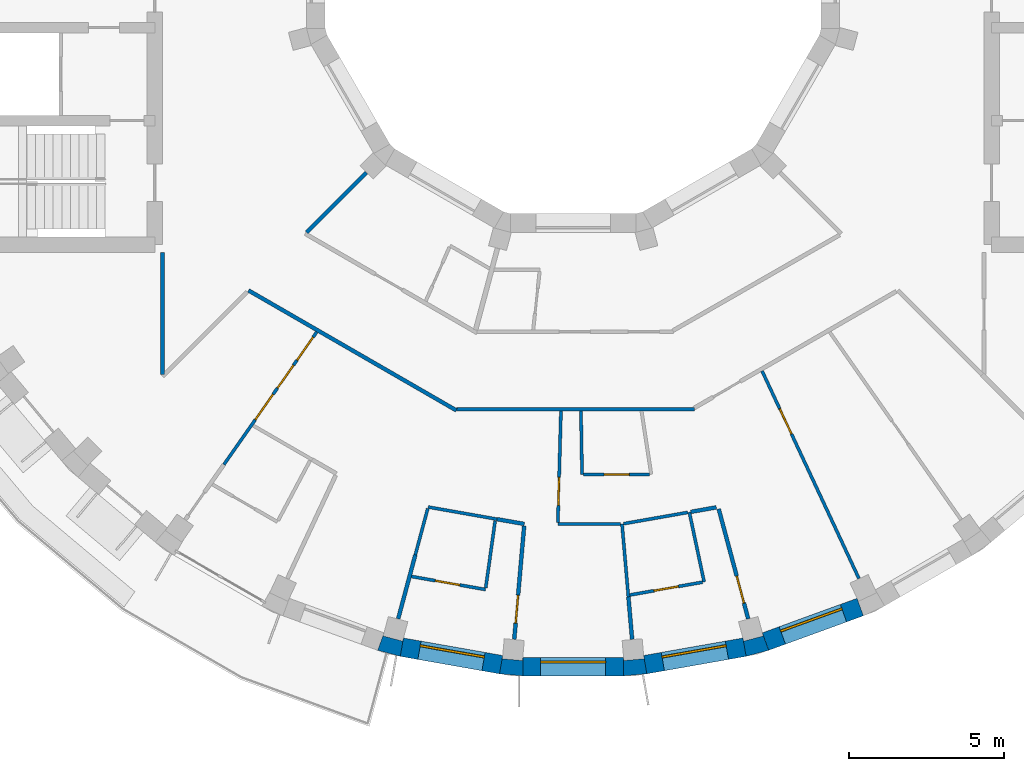
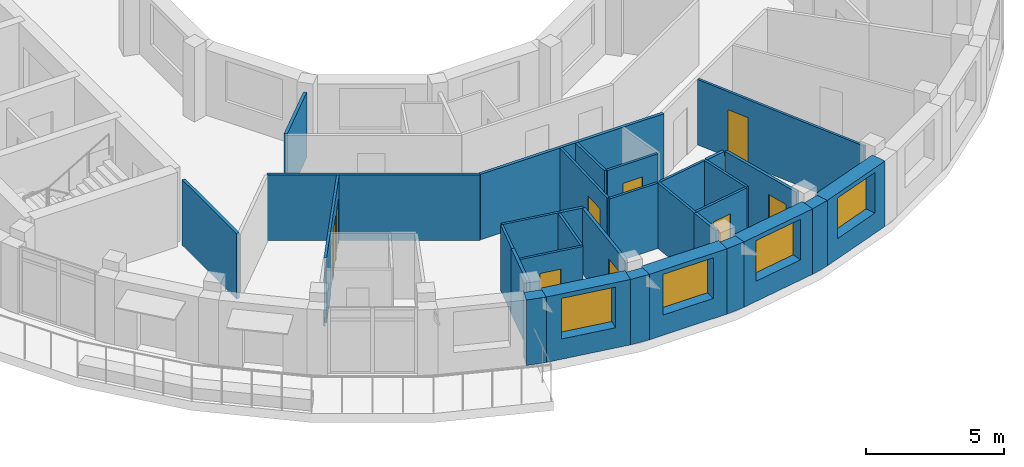
# One storey, part 4 of 12: 32 walls, 10 doors, 4 windows, 14 openings.
"""IFC4 building model written with IfcOpenShell, lengths in metres."""

from ifc_helpers import new_model, si_unit, direction, frame, frame_2d, origin, place, context, subcontext, project, spatial, polyline, rectangle, outline, extrude, material, layer, layer_set, type_object, element, fill, save


model = new_model("IFC4")

# Units and contexts
model_context = context("Model", 3, precision=1e-05, world=origin(), true_north=direction((0.0, 1.0)))
body_context = subcontext(model_context, "Body", "Model", "MODEL_VIEW")
ifc_project = project(units=[si_unit("LENGTHUNIT", "METRE"), si_unit("AREAUNIT", "SQUARE_METRE"), si_unit("VOLUMEUNIT", "CUBIC_METRE"), si_unit("PLANEANGLEUNIT", "RADIAN"), si_unit("MASSUNIT", "GRAM", prefix="KILO")], contexts=[model_context])

# Site, building, storey
site_placement = place(None, origin())
site = spatial("IfcSite", under=ifc_project, at=site_placement, CompositionType="ELEMENT")
building_placement = place(site_placement, origin())
building = spatial("IfcBuilding", under=site, at=building_placement, Name="Saqina Gate Tower", CompositionType="ELEMENT")
storey_placement = place(building_placement, frame((0.0, 0.0, 266.0)))
storey = spatial("IfcBuildingStorey", under=building, at=storey_placement, Name="L76", CompositionType="ELEMENT", Elevation=266.0)

# Walls
ifc_material_1 = material(Name="Brick masonry (buff)", Category="masonry")
wall_type_1 = type_object("IfcWallType", Name="BRICK PIER COPING BUFF", PredefinedType="SOLIDWALL", material=ifc_material_1)
wall_1_placement = place(storey_placement, origin())
element("IfcWall", 1, at=wall_1_placement, inside=storey, type_object=wall_type_1, Name="Pier cap L76 column 26", PredefinedType="SOLIDWALL", context=body_context, shape_type="SweptSolid", body=[
    extrude(outline(polyline([(-5.579833984375, -22.281982421875), (-5.4755859375, -21.691162109375), (-5.5029296875, -21.793212890625), (-6.130859375, -21.625), (-6.103515625, -21.52294921875), (-6.30859375, -22.0869140625), (-5.579833984375, -22.281982421875)])), origin(), (0.0, 0.0, 1.0), 2.89990234375),
])
wall_2_placement = place(storey_placement, origin())
element("IfcWall", 2, at=wall_2_placement, inside=storey, type_object=wall_type_1, Name="Pier cap L76 column 27", PredefinedType="SOLIDWALL", context=body_context, shape_type="SweptSolid", body=[
    extrude(outline(polyline([(-2.377685546875, -22.8466796875), (-1.625732421875, -22.91259765625), (-1.625732421875, -22.3125), (-1.635009765625, -22.417724609375), (-2.28271484375, -22.361083984375), (-2.2734375, -22.255859375), (-2.377685546875, -22.8466796875)])), origin(), (0.0, 0.0, 1.0), 2.89990234375),
])
wall_3_placement = place(storey_placement, origin())
element("IfcWall", 3, at=wall_3_placement, inside=storey, type_object=wall_type_1, Name="Pier cap L76 column 28", PredefinedType="SOLIDWALL", context=body_context, shape_type="SweptSolid", body=[
    extrude(outline(polyline([(1.625732421875, -22.91259765625), (2.377685546875, -22.8466796875), (2.2734375, -22.255859375), (2.28271484375, -22.361083984375), (1.635009765625, -22.417724609375), (1.625732421875, -22.3125), (1.625732421875, -22.91259765625)])), origin(), (0.0, 0.0, 1.0), 2.89990234375),
])
wall_4_placement = place(storey_placement, origin())
element("IfcWall", 4, at=wall_4_placement, inside=storey, type_object=wall_type_1, Name="Pier cap L76 column 29", PredefinedType="SOLIDWALL", context=body_context, shape_type="SweptSolid", body=[
    extrude(outline(polyline([(6.30859375, -22.0869140625), (6.103515625, -21.52294921875), (6.130859375, -21.625), (5.5029296875, -21.793212890625), (5.4755859375, -21.691162109375), (5.579833984375, -22.281982421875), (6.30859375, -22.0869140625)])), origin(), (0.0, 0.0, 1.0), 2.89990234375),
])

# Wall, opening, window
ifc_material_2 = material(Name="Brick masonry (buff)", Category="masonry")
ifc_layer_1 = layer(ifc_material_2, 0.60009765625)
ifc_layer_set_1 = layer_set([ifc_layer_1], Name="FW-BRICK-BUFF")
wall_type_2 = type_object("IfcWallType", Name="FW-BRICK-BUFF", PredefinedType="SOLIDWALL", material=ifc_layer_set_1)
wall_5_placement = place(storey_placement, frame((-5.52783203125, -21.986572265625, 0.0), z_axis=(0.0, 0.0, 1.0), x_axis=(0.984806225186, -0.173656842178, 0.0)))
wall_5 = element("IfcWall", 5, at=wall_5_placement, inside=storey, type_object=wall_type_2, Name="Facade wall L76 facet 26", PredefinedType="SOLIDWALL", context=body_context, shape_type="SweptSolid", body=[
    extrude(rectangle(XDim=3.251708984375, YDim=0.60009765625, at=frame_2d((1.6259765625, 0.0))), origin(), (0.0, 0.0, 1.0), 2.89990234375),
])
opening_1_placement = place(wall_5_placement, frame((0.57568359375, 0.0, 0.89990234375)))
opening_1 = element("IfcOpeningElement", 6, at=opening_1_placement, cuts=wall_5, Name="Opening G22-W15", PredefinedType="OPENING", context=body_context, shape_type="SweptSolid", body=[
    extrude(rectangle(XDim=2.10009765625, YDim=1.800048828125, at=frame_2d((1.050048828125, 0.89990234375))), frame((0.0, 0.31201171875, 0.0), z_axis=(0.0, -1.0, 0.0), x_axis=(1.0, 0.0, 0.0)), (0.0, 0.0, 1.0), 0.6240234375),
])
ifc_material_3 = material(Name="Aluminium glazing", Category="aluminium")
window_type = type_object("IfcWindowType", Name="WN-D", PartitioningType="SINGLE_PANEL", PredefinedType="WINDOW", material=ifc_material_3)
window_1_placement = place(opening_1_placement, origin())
window_1 = element("IfcWindow", 7, at=window_1_placement, inside=storey, type_object=window_type, Name="Window L76 facet 26", OverallHeight=1.800048828125, OverallWidth=2.10009765625, PartitioningType="SINGLE_PANEL", PredefinedType="WINDOW", context=body_context, shape_type="SweptSolid", body=[
    extrude(rectangle(XDim=2.10009765625, YDim=1.800048828125, at=frame_2d((1.050048828125, 0.89990234375))), frame((0.0, 0.179931640625, 0.0), z_axis=(0.0, -1.0, 0.0), x_axis=(1.0, 0.0, 0.0)), (0.0, 0.0, 1.0), 0.06005859375),
])
fill(opening_1, window_1)

wall_6_placement = place(storey_placement, frame((-1.625732421875, -22.612548828125, 0.0), z_axis=(0.0, 0.0, 1.0), x_axis=(1.0, 0.0, 0.0)))
wall_6 = element("IfcWall", 8, at=wall_6_placement, inside=storey, type_object=wall_type_2, Name="Facade wall L76 facet 27", PredefinedType="SOLIDWALL", context=body_context, shape_type="SweptSolid", body=[
    extrude(rectangle(XDim=3.25146484375, YDim=0.60009765625, at=frame_2d((1.625732421875, 0.0))), origin(), (0.0, 0.0, 1.0), 2.89990234375),
])
opening_2_placement = place(wall_6_placement, frame((0.57568359375, 0.0, 0.89990234375)))
opening_2 = element("IfcOpeningElement", 9, at=opening_2_placement, cuts=wall_6, Name="Opening G22-W16", PredefinedType="OPENING", context=body_context, shape_type="SweptSolid", body=[
    extrude(rectangle(XDim=2.10009765625, YDim=1.800048828125, at=frame_2d((1.050048828125, 0.89990234375))), frame((0.0, 0.31201171875, 0.0), z_axis=(0.0, -1.0, 0.0), x_axis=(1.0, 0.0, 0.0)), (0.0, 0.0, 1.0), 0.6240234375),
])
window_2_placement = place(opening_2_placement, origin())
window_2 = element("IfcWindow", 10, at=window_2_placement, inside=storey, type_object=window_type, Name="Window L76 facet 27", OverallHeight=1.800048828125, OverallWidth=2.10009765625, PartitioningType="SINGLE_PANEL", PredefinedType="WINDOW", context=body_context, shape_type="SweptSolid", body=[
    extrude(rectangle(XDim=2.10009765625, YDim=1.800048828125, at=frame_2d((1.050048828125, 0.89990234375))), frame((0.0, 0.179931640625, 0.0), z_axis=(0.0, -1.0, 0.0), x_axis=(1.0, 0.0, 0.0)), (0.0, 0.0, 1.0), 0.06005859375),
])
fill(opening_2, window_2)

wall_7_placement = place(storey_placement, frame((2.325439453125, -22.55126953125, 0.0), z_axis=(0.0, 0.0, 1.0), x_axis=(0.984806225186, 0.173656842178, 0.0)))
wall_7 = element("IfcWall", 11, at=wall_7_placement, inside=storey, type_object=wall_type_2, Name="Facade wall L76 facet 28", PredefinedType="SOLIDWALL", context=body_context, shape_type="SweptSolid", body=[
    extrude(rectangle(XDim=3.251708984375, YDim=0.60009765625, at=frame_2d((1.6259765625, 0.0))), origin(), (0.0, 0.0, 1.0), 2.89990234375),
])
opening_3_placement = place(wall_7_placement, frame((0.57568359375, 0.0, 0.89990234375)))
opening_3 = element("IfcOpeningElement", 12, at=opening_3_placement, cuts=wall_7, Name="Opening G22-W17", PredefinedType="OPENING", context=body_context, shape_type="SweptSolid", body=[
    extrude(rectangle(XDim=2.10009765625, YDim=1.800048828125, at=frame_2d((1.050048828125, 0.89990234375))), frame((0.0, 0.31201171875, 0.0), z_axis=(0.0, -1.0, 0.0), x_axis=(1.0, 0.0, 0.0)), (0.0, 0.0, 1.0), 0.6240234375),
])
window_3_placement = place(opening_3_placement, origin())
window_3 = element("IfcWindow", 13, at=window_3_placement, inside=storey, type_object=window_type, Name="Window L76 facet 28", OverallHeight=1.800048828125, OverallWidth=2.10009765625, PartitioningType="SINGLE_PANEL", PredefinedType="WINDOW", context=body_context, shape_type="SweptSolid", body=[
    extrude(rectangle(XDim=2.10009765625, YDim=1.800048828125, at=frame_2d((1.050048828125, 0.89990234375))), frame((0.0, 0.179931640625, 0.0), z_axis=(0.0, -1.0, 0.0), x_axis=(1.0, 0.0, 0.0)), (0.0, 0.0, 1.0), 0.06005859375),
])
fill(opening_3, window_3)

wall_8_placement = place(storey_placement, frame((6.2060546875, -21.804931640625, 0.0), z_axis=(0.0, 0.0, 1.0), x_axis=(0.939679383794, 0.342056509473, 0.0)))
wall_8 = element("IfcWall", 14, at=wall_8_placement, inside=storey, type_object=wall_type_2, Name="Facade wall L76 facet 29", PredefinedType="SOLIDWALL", context=body_context, shape_type="SweptSolid", body=[
    extrude(rectangle(XDim=3.251708984375, YDim=0.60009765625, at=frame_2d((1.6259765625, 0.0))), origin(), (0.0, 0.0, 1.0), 2.89990234375),
])
opening_4_placement = place(wall_8_placement, frame((0.57568359375, 0.0, 0.89990234375)))
opening_4 = element("IfcOpeningElement", 15, at=opening_4_placement, cuts=wall_8, Name="Opening G22-W18", PredefinedType="OPENING", context=body_context, shape_type="SweptSolid", body=[
    extrude(rectangle(XDim=2.10009765625, YDim=1.800048828125, at=frame_2d((1.050048828125, 0.89990234375))), frame((0.0, 0.31201171875, 0.0), z_axis=(0.0, -1.0, 0.0), x_axis=(1.0, 0.0, 0.0)), (0.0, 0.0, 1.0), 0.6240234375),
])
window_4_placement = place(opening_4_placement, origin())
window_4 = element("IfcWindow", 16, at=window_4_placement, inside=storey, type_object=window_type, Name="Window L76 facet 29", OverallHeight=1.800048828125, OverallWidth=2.10009765625, PartitioningType="SINGLE_PANEL", PredefinedType="WINDOW", context=body_context, shape_type="SweptSolid", body=[
    extrude(rectangle(XDim=2.10009765625, YDim=1.800048828125, at=frame_2d((1.050048828125, 0.89990234375))), frame((0.0, 0.179931640625, 0.0), z_axis=(0.0, -1.0, 0.0), x_axis=(1.0, 0.0, 0.0)), (0.0, 0.0, 1.0), 0.06005859375),
])
fill(opening_4, window_4)

# Walls
ifc_material_4 = material(Name="Gypsum board on steel studs, 100 mm", Category="steel")
ifc_layer_2 = layer(ifc_material_4, 0.10009765625)
ifc_layer_set_2 = layer_set([ifc_layer_2], Name="PARTITION 100")
wall_type_3 = type_object("IfcWallType", Name="PARTITION 100", PredefinedType="PARTITIONING", material=ifc_layer_set_2)
wall_9_placement = place(storey_placement, frame((0.2509765625, -14.37255859375, 0.0), z_axis=(0.0, 0.0, 1.0), x_axis=(0.017133494207, -0.999853210915, 0.0)))
element("IfcWall", 17, at=wall_9_placement, inside=storey, type_object=wall_type_3, Name="PARTITION PW3-01", PredefinedType="PARTITIONING", context=body_context, shape_type="SweptSolid", body=[
    extrude(rectangle(XDim=2.03759765625, YDim=0.10009765625, at=frame_2d((1.018798828125, 0.0))), origin(), (0.0, 0.0, 1.0), 2.89990234375),
])
wall_10_placement = place(storey_placement, frame((1.575927734375, -18.011962890625, 0.0), z_axis=(0.0, 0.0, 1.0), x_axis=(0.087044975162, -0.996204382795, 0.0)))
element("IfcWall", 18, at=wall_10_placement, inside=storey, type_object=wall_type_3, Name="PARTITION PW3-02", PredefinedType="PARTITIONING", context=body_context, shape_type="SweptSolid", body=[
    extrude(rectangle(XDim=2.35888671875, YDim=0.10009765625, at=frame_2d((1.179443359375, 0.0))), origin(), (0.0, 0.0, 1.0), 2.89990234375),
])
wall_11_placement = place(storey_placement, frame((3.7470703125, -17.6298828125, 0.0), z_axis=(0.0, 0.0, 1.0), x_axis=(0.207710310325, -0.978190383813, 0.0)))
element("IfcWall", 19, at=wall_11_placement, inside=storey, type_object=wall_type_3, Name="PARTITION PW3-05", PredefinedType="PARTITIONING", context=body_context, shape_type="SweptSolid", body=[
    extrude(rectangle(XDim=2.301513671875, YDim=0.10009765625, at=frame_2d((1.15087890625, 0.0))), origin(), (0.0, 0.0, 1.0), 2.89990234375),
])

# Wall, opening, door
wall_12_placement = place(storey_placement, frame((6.094970703125, -13.07666015625, 0.0), z_axis=(0.0, 0.0, 1.0), x_axis=(0.422939739386, -0.906157810124, 0.0)))
wall_12 = element("IfcWall", 20, at=wall_12_placement, inside=storey, type_object=wall_type_3, Name="PARTITION PW3-10", PredefinedType="PARTITIONING", context=body_context, shape_type="SweptSolid", body=[
    extrude(rectangle(XDim=7.3876953125, YDim=0.10009765625, at=frame_2d((3.69384765625, 0.0))), origin(), (0.0, 0.0, 1.0), 2.89990234375),
])
opening_5_placement = place(wall_12_placement, frame((1.344970703125, 0.0, 0.0)))
opening_5 = element("IfcOpeningElement", 21, at=opening_5_placement, cuts=wall_12, Name="Opening G22-D41", PredefinedType="OPENING", context=body_context, shape_type="SweptSolid", body=[
    extrude(rectangle(XDim=0.89990234375, YDim=2.10009765625, at=frame_2d((0.449951171875, 1.050048828125))), frame((0.0, 0.06201171875, 0.0), z_axis=(0.0, -1.0, 0.0), x_axis=(1.0, 0.0, 0.0)), (0.0, 0.0, 1.0), 0.1240234375),
])
ifc_material_5 = material(Name="Timber door leaf, 900 mm", Category="wood")
door_type_1 = type_object("IfcDoorType", Name="DOOR 900 TIMBER", OperationType="SINGLE_SWING_LEFT", PredefinedType="DOOR", material=ifc_material_5)
door_1_placement = place(opening_5_placement, frame((0.89990234375, 0.0, 0.0), z_axis=(0.0, 0.0, 1.0), x_axis=(-1.0, 0.0, 0.0)))
door_1 = element("IfcDoor", 22, at=door_1_placement, inside=storey, type_object=door_type_1, Name="DOOR G22-D41", OperationType="SINGLE_SWING_RIGHT", OverallHeight=2.10009765625, OverallWidth=0.89990234375, PredefinedType="DOOR", context=body_context, shape_type="SweptSolid", body=[
    extrude(rectangle(XDim=0.89990234375, YDim=2.10009765625, at=frame_2d((0.449951171875, 1.050048828125))), frame((0.0, 0.02490234375, 0.0), z_axis=(0.0, -1.0, 0.0), x_axis=(1.0, 0.0, 0.0)), (0.0, 0.0, 1.0), 0.050048828125),
])
fill(opening_5, door_1)

wall_13_placement = place(storey_placement, frame((-5.21533203125, -19.705810546875, 0.0), z_axis=(0.0, 0.0, 1.0), x_axis=(0.984780515727, -0.173802577208, 0.0)))
wall_13 = element("IfcWall", 23, at=wall_13_placement, inside=storey, type_object=wall_type_3, Name="PARTITION PW3-23", PredefinedType="PARTITIONING", context=body_context, shape_type="SweptSolid", body=[
    extrude(rectangle(XDim=2.423095703125, YDim=0.10009765625, at=frame_2d((1.21142578125, 0.0))), origin(), (0.0, 0.0, 1.0), 2.89990234375),
])
opening_6_placement = place(wall_13_placement, frame((0.780517578125, 0.0, 0.0)))
opening_6 = element("IfcOpeningElement", 24, at=opening_6_placement, cuts=wall_13, Name="Opening G22-D31", PredefinedType="OPENING", context=body_context, shape_type="SweptSolid", body=[
    extrude(rectangle(XDim=0.800048828125, YDim=2.10009765625, at=frame_2d((0.39990234375, 1.050048828125))), frame((0.0, 0.06201171875, 0.0), z_axis=(0.0, -1.0, 0.0), x_axis=(1.0, 0.0, 0.0)), (0.0, 0.0, 1.0), 0.1240234375),
])
ifc_material_6 = material(Name="Timber door leaf, 800 mm", Category="wood")
door_type_2 = type_object("IfcDoorType", Name="DOOR 800 TIMBER", OperationType="SINGLE_SWING_LEFT", PredefinedType="DOOR", material=ifc_material_6)
door_2_placement = place(opening_6_placement, frame((0.800048828125, 0.0, 0.0), z_axis=(0.0, 0.0, 1.0), x_axis=(-1.0, 0.0, 0.0)))
door_2 = element("IfcDoor", 25, at=door_2_placement, inside=storey, type_object=door_type_2, Name="DOOR G22-D31", OperationType="SINGLE_SWING_RIGHT", OverallHeight=2.10009765625, OverallWidth=0.800048828125, PredefinedType="DOOR", context=body_context, shape_type="SweptSolid", body=[
    extrude(rectangle(XDim=0.800048828125, YDim=2.10009765625, at=frame_2d((0.39990234375, 1.050048828125))), frame((0.0, 0.02490234375, 0.0), z_axis=(0.0, -1.0, 0.0), x_axis=(1.0, 0.0, 0.0)), (0.0, 0.0, 1.0), 0.050048828125),
])
fill(opening_6, door_2)

# Walls
wall_14_placement = place(storey_placement, frame((-4.678955078125, -17.465087890625, 0.0), z_axis=(0.0, 0.0, 1.0), x_axis=(0.984785740028, -0.173772973268, 0.0)))
element("IfcWall", 26, at=wall_14_placement, inside=storey, type_object=wall_type_3, Name="PARTITION PW3-24", PredefinedType="PARTITIONING", context=body_context, shape_type="SweptSolid", body=[
    extrude(rectangle(XDim=2.25341796875, YDim=0.10009765625, at=frame_2d((1.126708984375, 0.0))), origin(), (0.0, 0.0, 1.0), 2.89990234375),
])
wall_15_placement = place(storey_placement, frame((-0.492919921875, -18.011962890625, 0.0), z_axis=(0.0, 0.0, 1.0), x_axis=(1.0, 0.0, 0.0)))
element("IfcWall", 27, at=wall_15_placement, inside=storey, type_object=wall_type_3, Name="PARTITION PW3-26", PredefinedType="PARTITIONING", context=body_context, shape_type="SweptSolid", body=[
    extrude(rectangle(XDim=2.017822265625, YDim=0.10009765625, at=frame_2d((1.0087890625, 0.0))), origin(), (0.0, 0.0, 1.0), 2.89990234375),
])

# Wall, opening, door
wall_16_placement = place(storey_placement, frame((0.337890625, -16.409912109375, 0.0), z_axis=(0.0, 0.0, 1.0), x_axis=(1.0, 0.0, 0.0)))
wall_16 = element("IfcWall", 28, at=wall_16_placement, inside=storey, type_object=wall_type_3, Name="PARTITION PW3-27", PredefinedType="PARTITIONING", context=body_context, shape_type="SweptSolid", body=[
    extrude(rectangle(XDim=2.128173828125, YDim=0.10009765625, at=frame_2d((1.06396484375, 0.0))), origin(), (0.0, 0.0, 1.0), 2.89990234375),
])
opening_7_placement = place(wall_16_placement, frame((0.6640625, 0.0, 0.0)))
opening_7 = element("IfcOpeningElement", 29, at=opening_7_placement, cuts=wall_16, Name="Opening G22-D36", PredefinedType="OPENING", context=body_context, shape_type="SweptSolid", body=[
    extrude(rectangle(XDim=0.800048828125, YDim=2.10009765625, at=frame_2d((0.39990234375, 1.050048828125))), frame((0.0, 0.06201171875, 0.0), z_axis=(0.0, -1.0, 0.0), x_axis=(1.0, 0.0, 0.0)), (0.0, 0.0, 1.0), 0.1240234375),
])
door_3_placement = place(opening_7_placement, frame((0.800048828125, 0.0, 0.0), z_axis=(0.0, 0.0, 1.0), x_axis=(-1.0, 0.0, 0.0)))
door_3 = element("IfcDoor", 30, at=door_3_placement, inside=storey, type_object=door_type_2, Name="DOOR G22-D36", OperationType="SINGLE_SWING_RIGHT", OverallHeight=2.10009765625, OverallWidth=0.800048828125, PredefinedType="DOOR", context=body_context, shape_type="SweptSolid", body=[
    extrude(rectangle(XDim=0.800048828125, YDim=2.10009765625, at=frame_2d((0.39990234375, 1.050048828125))), frame((0.0, 0.02490234375, 0.0), z_axis=(0.0, -1.0, 0.0), x_axis=(1.0, 0.0, 0.0)), (0.0, 0.0, 1.0), 0.050048828125),
])
fill(opening_7, door_3)

wall_17_placement = place(storey_placement, frame((1.826416015625, -20.30322265625, 0.0), z_axis=(0.0, 0.0, 1.0), x_axis=(0.984856623516, 0.173370790838, 0.0)))
wall_17 = element("IfcWall", 31, at=wall_17_placement, inside=storey, type_object=wall_type_3, Name="PARTITION PW3-31", PredefinedType="PARTITIONING", context=body_context, shape_type="SweptSolid", body=[
    extrude(rectangle(XDim=2.385498046875, YDim=0.10009765625, at=frame_2d((1.19287109375, 0.0))), origin(), (0.0, 0.0, 1.0), 2.89990234375),
])
opening_8_placement = place(wall_17_placement, frame((0.792724609375, 0.0, 0.0)))
opening_8 = element("IfcOpeningElement", 32, at=opening_8_placement, cuts=wall_17, Name="Opening G22-D37", PredefinedType="OPENING", context=body_context, shape_type="SweptSolid", body=[
    extrude(rectangle(XDim=0.800048828125, YDim=2.10009765625, at=frame_2d((0.39990234375, 1.050048828125))), frame((0.0, 0.06201171875, 0.0), z_axis=(0.0, -1.0, 0.0), x_axis=(1.0, 0.0, 0.0)), (0.0, 0.0, 1.0), 0.1240234375),
])
door_4_placement = place(opening_8_placement, frame((0.800048828125, 0.0, 0.0), z_axis=(0.0, 0.0, 1.0), x_axis=(-1.0, 0.0, 0.0)))
door_4 = element("IfcDoor", 33, at=door_4_placement, inside=storey, type_object=door_type_2, Name="DOOR G22-D37", OperationType="SINGLE_SWING_LEFT", OverallHeight=2.10009765625, OverallWidth=0.800048828125, PredefinedType="DOOR", context=body_context, shape_type="SweptSolid", body=[
    extrude(rectangle(XDim=0.800048828125, YDim=2.10009765625, at=frame_2d((0.39990234375, 1.050048828125))), frame((0.0, 0.02490234375, 0.0), z_axis=(0.0, -1.0, 0.0), x_axis=(1.0, 0.0, 0.0)), (0.0, 0.0, 1.0), 0.050048828125),
])
fill(opening_8, door_4)

# Wall
wall_18_placement = place(storey_placement, frame((1.625244140625, -18.00341796875, 0.0), z_axis=(0.0, 0.0, 1.0), x_axis=(0.984864041574, 0.173328646261, 0.0)))
element("IfcWall", 34, at=wall_18_placement, inside=storey, type_object=wall_type_3, Name="PARTITION PW3-32", PredefinedType="PARTITIONING", context=body_context, shape_type="SweptSolid", body=[
    extrude(rectangle(XDim=2.104248046875, YDim=0.10009765625, at=frame_2d((1.05224609375, 0.0))), origin(), (0.0, 0.0, 1.0), 2.89990234375),
])

# Wall, openings, doors
wall_19_placement = place(storey_placement, frame((-11.26904296875, -16.09423828125, 0.0), z_axis=(0.0, 0.0, 1.0), x_axis=(0.573597334784, 0.819137410651, 0.0)))
wall_19 = element("IfcWall", 35, at=wall_19_placement, inside=storey, type_object=wall_type_3, Name="PARTITION PW3-39", PredefinedType="PARTITIONING", context=body_context, shape_type="SweptSolid", body=[
    extrude(rectangle(XDim=5.218994140625, YDim=0.10009765625, at=frame_2d((2.609375, 0.0))), origin(), (0.0, 0.0, 1.0), 2.89990234375),
])
opening_9_placement = place(wall_19_placement, frame((4.1142578125, 0.0, 0.0)))
opening_9 = element("IfcOpeningElement", 36, at=opening_9_placement, cuts=wall_19, Name="Opening G22-D24", PredefinedType="OPENING", context=body_context, shape_type="SweptSolid", body=[
    extrude(rectangle(XDim=0.89990234375, YDim=2.10009765625, at=frame_2d((0.449951171875, 1.050048828125))), frame((0.0, 0.06201171875, 0.0), z_axis=(0.0, -1.0, 0.0), x_axis=(1.0, 0.0, 0.0)), (0.0, 0.0, 1.0), 0.1240234375),
])
opening_10_placement = place(wall_19_placement, frame((3.01416015625, 0.0, 0.0)))
opening_10 = element("IfcOpeningElement", 37, at=opening_10_placement, cuts=wall_19, Name="Opening G22-D25", PredefinedType="OPENING", context=body_context, shape_type="SweptSolid", body=[
    extrude(rectangle(XDim=0.89990234375, YDim=2.10009765625, at=frame_2d((0.449951171875, 1.050048828125))), frame((0.0, 0.06201171875, 0.0), z_axis=(0.0, -1.0, 0.0), x_axis=(1.0, 0.0, 0.0)), (0.0, 0.0, 1.0), 0.1240234375),
])
opening_11_placement = place(wall_19_placement, frame((1.76416015625, 0.0, 0.0)))
opening_11 = element("IfcOpeningElement", 38, at=opening_11_placement, cuts=wall_19, Name="Opening G22-D26", PredefinedType="OPENING", context=body_context, shape_type="SweptSolid", body=[
    extrude(rectangle(XDim=1.0, YDim=2.10009765625, at=frame_2d((0.5, 1.050048828125))), frame((0.0, 0.06201171875, 0.0), z_axis=(0.0, -1.0, 0.0), x_axis=(1.0, 0.0, 0.0)), (0.0, 0.0, 1.0), 0.1240234375),
])
ifc_material_7 = material(Name="Timber door leaf, 1000 mm", Category="wood")
door_type_3 = type_object("IfcDoorType", Name="DOOR 1000 TIMBER", OperationType="SINGLE_SWING_LEFT", PredefinedType="DOOR", material=ifc_material_7)
door_5_placement = place(opening_11_placement, frame((1.0, 0.0, 0.0), z_axis=(0.0, 0.0, 1.0), x_axis=(-1.0, 0.0, 0.0)))
door_5 = element("IfcDoor", 39, at=door_5_placement, inside=storey, type_object=door_type_3, Name="DOOR G22-D26", OperationType="SINGLE_SWING_RIGHT", OverallHeight=2.10009765625, OverallWidth=1.0, PredefinedType="DOOR", context=body_context, shape_type="SweptSolid", body=[
    extrude(rectangle(XDim=1.0, YDim=2.10009765625, at=frame_2d((0.5, 1.050048828125))), frame((0.0, 0.02490234375, 0.0), z_axis=(0.0, -1.0, 0.0), x_axis=(1.0, 0.0, 0.0)), (0.0, 0.0, 1.0), 0.050048828125),
])
fill(opening_11, door_5)
door_6_placement = place(opening_9_placement, frame((0.89990234375, 0.0, 0.0), z_axis=(0.0, 0.0, 1.0), x_axis=(-1.0, 0.0, 0.0)))
door_6 = element("IfcDoor", 40, at=door_6_placement, inside=storey, type_object=door_type_1, Name="DOOR G22-D24", OperationType="SINGLE_SWING_LEFT", OverallHeight=2.10009765625, OverallWidth=0.89990234375, PredefinedType="DOOR", context=body_context, shape_type="SweptSolid", body=[
    extrude(rectangle(XDim=0.89990234375, YDim=2.10009765625, at=frame_2d((0.449951171875, 1.050048828125))), frame((0.0, 0.02490234375, 0.0), z_axis=(0.0, -1.0, 0.0), x_axis=(1.0, 0.0, 0.0)), (0.0, 0.0, 1.0), 0.050048828125),
])
fill(opening_9, door_6)
door_7_placement = place(opening_10_placement, frame((0.89990234375, 0.0, 0.0), z_axis=(0.0, 0.0, 1.0), x_axis=(-1.0, 0.0, 0.0)))
door_7 = element("IfcDoor", 41, at=door_7_placement, inside=storey, type_object=door_type_1, Name="DOOR G22-D25", OperationType="SINGLE_SWING_LEFT", OverallHeight=2.10009765625, OverallWidth=0.89990234375, PredefinedType="DOOR", context=body_context, shape_type="SweptSolid", body=[
    extrude(rectangle(XDim=0.89990234375, YDim=2.10009765625, at=frame_2d((0.449951171875, 1.050048828125))), frame((0.0, 0.02490234375, 0.0), z_axis=(0.0, -1.0, 0.0), x_axis=(1.0, 0.0, 0.0)), (0.0, 0.0, 1.0), 0.050048828125),
])
fill(opening_10, door_7)

# Walls
wall_20_placement = place(storey_placement, frame((-5.093017578125, -19.00732421875, 0.0), z_axis=(0.0, 0.0, 1.0), x_axis=(0.259175252444, 0.965830310417, 0.0)))
element("IfcWall", 42, at=wall_20_placement, inside=storey, type_object=wall_type_3, Name="PARTITION PW3-49", PredefinedType="PARTITIONING", context=body_context, shape_type="SweptSolid", body=[
    extrude(rectangle(XDim=1.546630859375, YDim=0.10009765625, at=frame_2d((0.7734375, 0.0))), origin(), (0.0, 0.0, 1.0), 2.89990234375),
])
wall_21_placement = place(storey_placement, frame((-2.822021484375, -20.077392578125, 0.0), z_axis=(0.0, 0.0, 1.0), x_axis=(0.139000144369, 0.990292360803, 0.0)))
element("IfcWall", 43, at=wall_21_placement, inside=storey, type_object=wall_type_3, Name="PARTITION PW3-51", PredefinedType="PARTITIONING", context=body_context, shape_type="SweptSolid", body=[
    extrude(rectangle(XDim=2.1884765625, YDim=0.10009765625, at=frame_2d((1.09423828125, 0.0))), origin(), (0.0, 0.0, 1.0), 2.89990234375),
])

# Wall, opening, door
wall_22_placement = place(storey_placement, frame((-0.49365234375, -17.9609375, 0.0), z_axis=(0.0, 0.0, 1.0), x_axis=(0.027544314619, 0.999620583388, 0.0)))
wall_22 = element("IfcWall", 44, at=wall_22_placement, inside=storey, type_object=wall_type_3, Name="PARTITION PW3-54", PredefinedType="PARTITIONING", context=body_context, shape_type="SweptSolid", body=[
    extrude(rectangle(XDim=3.58984375, YDim=0.10009765625, at=frame_2d((1.794921875, 0.0))), origin(), (0.0, 0.0, 1.0), 2.89990234375),
])
opening_12_placement = place(wall_22_placement, frame((0.55126953125, 0.0, 0.0)))
opening_12 = element("IfcOpeningElement", 45, at=opening_12_placement, cuts=wall_22, Name="Opening G22-D34", PredefinedType="OPENING", context=body_context, shape_type="SweptSolid", body=[
    extrude(rectangle(XDim=0.89990234375, YDim=2.10009765625, at=frame_2d((0.449951171875, 1.050048828125))), frame((0.0, 0.06201171875, 0.0), z_axis=(0.0, -1.0, 0.0), x_axis=(1.0, 0.0, 0.0)), (0.0, 0.0, 1.0), 0.1240234375),
])
door_8_placement = place(opening_12_placement, origin())
door_8 = element("IfcDoor", 46, at=door_8_placement, inside=storey, type_object=door_type_1, Name="DOOR G22-D34", OperationType="SINGLE_SWING_LEFT", OverallHeight=2.10009765625, OverallWidth=0.89990234375, PredefinedType="DOOR", context=body_context, shape_type="SweptSolid", body=[
    extrude(rectangle(XDim=0.89990234375, YDim=2.10009765625, at=frame_2d((0.449951171875, 1.050048828125))), frame((0.0, 0.02490234375, 0.0), z_axis=(0.0, -1.0, 0.0), x_axis=(1.0, 0.0, 0.0)), (0.0, 0.0, 1.0), 0.050048828125),
])
fill(opening_12, door_8)

# Wall
ifc_material_8 = material(Name="Gypsum board on steel studs, 125 mm, fire rated", Category="steel")
ifc_layer_3 = layer(ifc_material_8, 0.125)
ifc_layer_set_3 = layer_set([ifc_layer_3], Name="PARTITION EI 30 125")
wall_type_4 = type_object("IfcWallType", Name="PARTITION EI 30 125", PredefinedType="PARTITIONING", material=ifc_layer_set_3)
wall_23_placement = place(storey_placement, frame((1.781494140625, -20.36181640625, 0.0), z_axis=(0.0, 0.0, 1.0), x_axis=(0.08715814214, -0.996194488169, 0.0)))
element("IfcWall", 47, at=wall_23_placement, inside=storey, type_object=wall_type_4, Name="PARTITION PW1-01", PredefinedType="PARTITIONING", context=body_context, shape_type="SweptSolid", body=[
    extrude(rectangle(XDim=1.375244140625, YDim=0.125, at=frame_2d((0.6875, 0.0))), origin(), (0.0, 0.0, 1.0), 2.89990234375),
])

# Wall, opening, door
wall_24_placement = place(storey_placement, frame((4.69482421875, -17.525634765625, 0.0), z_axis=(0.0, 0.0, 1.0), x_axis=(0.259210267256, -0.965820913705, 0.0)))
wall_24 = element("IfcWall", 48, at=wall_24_placement, inside=storey, type_object=wall_type_4, Name="PARTITION PW1-02", PredefinedType="PARTITIONING", context=body_context, shape_type="SweptSolid", body=[
    extrude(rectangle(XDim=3.67138671875, YDim=0.125, at=frame_2d((1.835693359375, 0.0))), origin(), (0.0, 0.0, 1.0), 2.89990234375),
])
opening_13_placement = place(wall_24_placement, frame((2.24560546875, 0.0, 0.0)))
opening_13 = element("IfcOpeningElement", 49, at=opening_13_placement, cuts=wall_24, Name="Opening G22-D39", PredefinedType="OPENING", context=body_context, shape_type="SweptSolid", body=[
    extrude(rectangle(XDim=0.89990234375, YDim=2.10009765625, at=frame_2d((0.449951171875, 1.050048828125))), frame((0.0, 0.074462890625, 0.0), z_axis=(0.0, -1.0, 0.0), x_axis=(1.0, 0.0, 0.0)), (0.0, 0.0, 1.0), 0.14892578125),
])
ifc_material_9 = material(Name="Fire door leaf EI 30, 900 mm")
door_type_4 = type_object("IfcDoorType", Name="DOOR 900 EI 30", OperationType="SINGLE_SWING_LEFT", PredefinedType="DOOR", material=ifc_material_9)
door_9_placement = place(opening_13_placement, origin())
door_9 = element("IfcDoor", 50, at=door_9_placement, inside=storey, type_object=door_type_4, Name="DOOR G22-D39", OperationType="SINGLE_SWING_RIGHT", OverallHeight=2.10009765625, OverallWidth=0.89990234375, PredefinedType="DOOR", context=body_context, shape_type="SweptSolid", body=[
    extrude(rectangle(XDim=0.89990234375, YDim=2.10009765625, at=frame_2d((0.449951171875, 1.050048828125))), frame((0.0, 0.02490234375, 0.0), z_axis=(0.0, -1.0, 0.0), x_axis=(1.0, 0.0, 0.0)), (0.0, 0.0, 1.0), 0.050048828125),
])
fill(opening_13, door_9)

# Walls
wall_25_placement = place(storey_placement, frame((-10.47607421875, -10.47607421875, 0.0), z_axis=(0.0, 0.0, 1.0), x_axis=(0.866073222863, -0.499917165778, 0.0)))
element("IfcWall", 51, at=wall_25_placement, inside=storey, type_object=wall_type_4, Name="PARTITION PW1-11", PredefinedType="PARTITIONING", context=body_context, shape_type="SweptSolid", body=[
    extrude(rectangle(XDim=7.742431640625, YDim=0.125, at=frame_2d((3.87109375, 0.0))), origin(), (0.0, 0.0, 1.0), 2.89990234375),
])
wall_26_placement = place(storey_placement, frame((-2.459716796875, -17.856689453125, 0.0), z_axis=(0.0, 0.0, 1.0), x_axis=(0.984914749924, -0.173040270981, 0.0)))
element("IfcWall", 52, at=wall_26_placement, inside=storey, type_object=wall_type_4, Name="PARTITION PW1-16", PredefinedType="PARTITIONING", context=body_context, shape_type="SweptSolid", body=[
    extrude(rectangle(XDim=0.897216796875, YDim=0.125, at=frame_2d((0.44873046875, 0.0))), origin(), (0.0, 0.0, 1.0), 2.89990234375),
])
wall_27_placement = place(storey_placement, frame((-3.7705078125, -14.31005859375, 0.0), z_axis=(0.0, 0.0, 1.0), x_axis=(1.0, 0.0, 0.0)))
element("IfcWall", 53, at=wall_27_placement, inside=storey, type_object=wall_type_4, Name="PARTITION PW1-17", PredefinedType="PARTITIONING", context=body_context, shape_type="SweptSolid", body=[
    extrude(rectangle(XDim=7.6767578125, YDim=0.125, at=frame_2d((3.83837890625, 0.0))), origin(), (0.0, 0.0, 1.0), 2.89990234375),
])
wall_28_placement = place(storey_placement, frame((3.796142578125, -17.621337890625, 0.0), z_axis=(0.0, 0.0, 1.0), x_axis=(0.984715706085, 0.174169395101, 0.0)))
element("IfcWall", 54, at=wall_28_placement, inside=storey, type_object=wall_type_4, Name="PARTITION PW1-22", PredefinedType="PARTITIONING", context=body_context, shape_type="SweptSolid", body=[
    extrude(rectangle(XDim=0.833984375, YDim=0.125, at=frame_2d((0.4169921875, 0.0))), origin(), (0.0, 0.0, 1.0), 2.89990234375),
])
wall_29_placement = place(storey_placement, frame((-8.601806640625, -8.601806640625, 0.0), z_axis=(0.0, 0.0, 1.0), x_axis=(0.707106781187, 0.707106781187, 0.0)))
element("IfcWall", 55, at=wall_29_placement, inside=storey, type_object=wall_type_4, Name="PARTITION PW1-31", PredefinedType="PARTITIONING", context=body_context, shape_type="SweptSolid", body=[
    extrude(rectangle(XDim=2.722412109375, YDim=0.125, at=frame_2d((1.361328125, 0.0))), origin(), (0.0, 0.0, 1.0), 2.89990234375),
])
wall_30_placement = place(storey_placement, frame((-5.646728515625, -21.071533203125, 0.0), z_axis=(0.0, 0.0, 1.0), x_axis=(0.259084380683, 0.965854690772, 0.0)))
element("IfcWall", 56, at=wall_30_placement, inside=storey, type_object=wall_type_4, Name="PARTITION PW1-39", PredefinedType="PARTITIONING", context=body_context, shape_type="SweptSolid", body=[
    extrude(rectangle(XDim=2.13720703125, YDim=0.125, at=frame_2d((1.068603515625, 0.0))), origin(), (0.0, 0.0, 1.0), 2.89990234375),
])

# Wall, opening, door
wall_31_placement = place(storey_placement, frame((-1.9013671875, -21.73193359375, 0.0), z_axis=(0.0, 0.0, 1.0), x_axis=(0.087128997152, 0.996197037666, 0.0)))
wall_31 = element("IfcWall", 57, at=wall_31_placement, inside=storey, type_object=wall_type_4, Name="PARTITION PW1-41", PredefinedType="PARTITIONING", context=body_context, shape_type="SweptSolid", body=[
    extrude(rectangle(XDim=3.670654296875, YDim=0.125, at=frame_2d((1.83544921875, 0.0))), origin(), (0.0, 0.0, 1.0), 2.89990234375),
])
opening_14_placement = place(wall_31_placement, frame((0.52490234375, 0.0, 0.0)))
opening_14 = element("IfcOpeningElement", 58, at=opening_14_placement, cuts=wall_31, Name="Opening G22-D33", PredefinedType="OPENING", context=body_context, shape_type="SweptSolid", body=[
    extrude(rectangle(XDim=0.89990234375, YDim=2.10009765625, at=frame_2d((0.449951171875, 1.050048828125))), frame((0.0, 0.074462890625, 0.0), z_axis=(0.0, -1.0, 0.0), x_axis=(1.0, 0.0, 0.0)), (0.0, 0.0, 1.0), 0.14892578125),
])
door_10_placement = place(opening_14_placement, frame((0.89990234375, 0.0, 0.0), z_axis=(0.0, 0.0, 1.0), x_axis=(-1.0, 0.0, 0.0)))
door_10 = element("IfcDoor", 59, at=door_10_placement, inside=storey, type_object=door_type_4, Name="DOOR G22-D33", OperationType="SINGLE_SWING_RIGHT", OverallHeight=2.10009765625, OverallWidth=0.89990234375, PredefinedType="DOOR", context=body_context, shape_type="SweptSolid", body=[
    extrude(rectangle(XDim=0.89990234375, YDim=2.10009765625, at=frame_2d((0.449951171875, 1.050048828125))), frame((0.0, 0.02490234375, 0.0), z_axis=(0.0, -1.0, 0.0), x_axis=(1.0, 0.0, 0.0)), (0.0, 0.0, 1.0), 0.050048828125),
])
fill(opening_14, door_10)

# Wall
wall_32_placement = place(storey_placement, frame((-13.25, -13.1875, 0.0), z_axis=(0.0, 0.0, 1.0), x_axis=(0.0, 1.0, 0.0)))
element("IfcWall", 60, at=wall_32_placement, inside=storey, type_object=wall_type_4, Name="PARTITION PW1-44", PredefinedType="PARTITIONING", context=body_context, shape_type="SweptSolid", body=[
    extrude(rectangle(XDim=3.9375, YDim=0.125, at=frame_2d((1.96875, 0.0))), origin(), (0.0, 0.0, 1.0), 2.89990234375),
])

save(model, "model.ifc")
